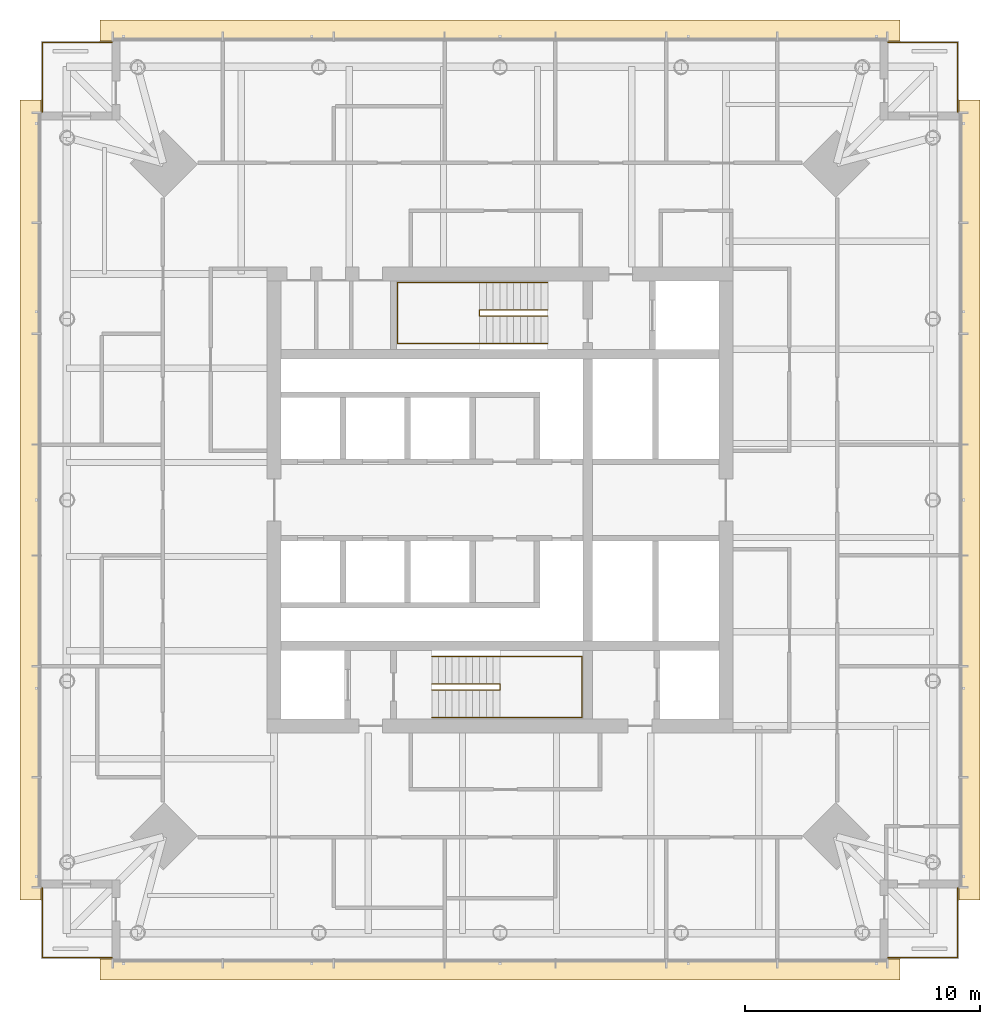
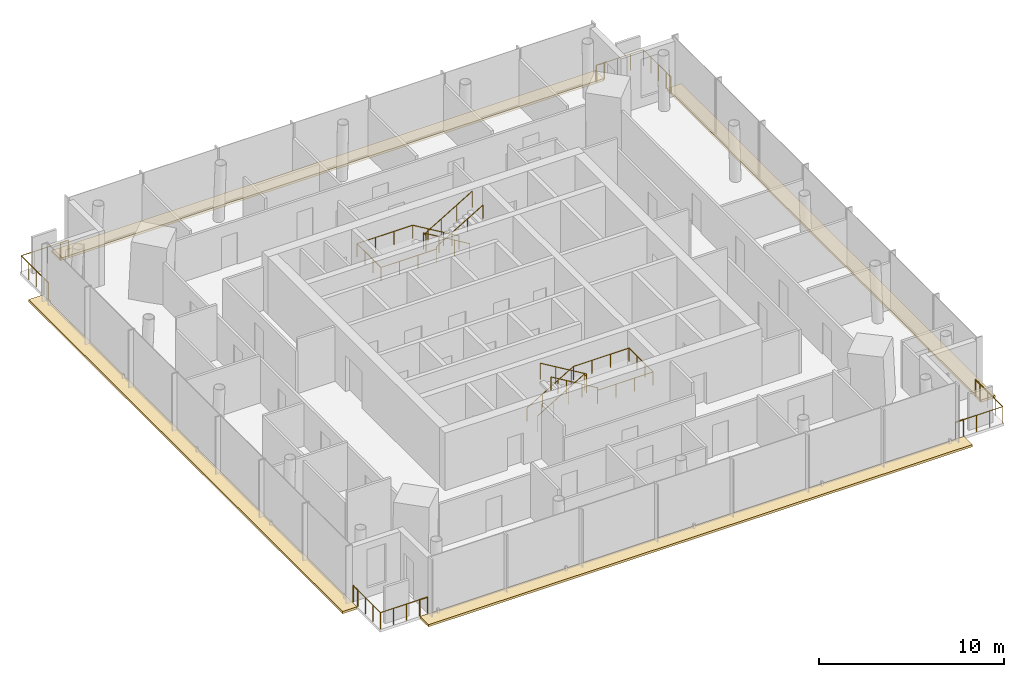
# One storey, part 11 of 11: 16 railings, 4 coverings.
"""IFC4 building model written with IfcOpenShell, lengths in metres."""

from ifc_helpers import new_model, si_unit, direction, frame, origin, origin_2d, place, context, subcontext, project, spatial, polyline, circle, outline, extrude, material, layer, layer_set, type_object, element, save


model = new_model("IFC4")

# Units and contexts
model_context = context("Model", 3, precision=1e-05, world=origin(), true_north=direction((0.0, 1.0)))
body_context = subcontext(model_context, "Body", "Model", "MODEL_VIEW")
ifc_project = project(units=[si_unit("LENGTHUNIT", "METRE"), si_unit("AREAUNIT", "SQUARE_METRE"), si_unit("VOLUMEUNIT", "CUBIC_METRE"), si_unit("PLANEANGLEUNIT", "RADIAN"), si_unit("MASSUNIT", "GRAM", prefix="KILO")], contexts=[model_context])

# Site, building, storey
site_placement = place(None, origin())
site = spatial("IfcSite", under=ifc_project, at=site_placement, CompositionType="ELEMENT")
building_placement = place(site_placement, origin())
building = spatial("IfcBuilding", under=site, at=building_placement, Name="Ostroluk Exchange", CompositionType="ELEMENT")
storey_placement = place(building_placement, frame((0.0, 0.0, 195.800048828125)))
storey = spatial("IfcBuildingStorey", under=building, at=storey_placement, Name="L50", CompositionType="ELEMENT", Elevation=195.800048828125)

# Railings
ifc_material_1 = material(Name="Stainless steel", Category="steel")
railing_type_1 = type_object("IfcRailingType", Name="Guard 1100 stainless steel", PredefinedType="GUARDRAIL", material=ifc_material_1)
railing_1_placement = place(storey_placement, frame((62.0, 26.550048828125, 0.0)))
element("IfcRailing", 1, at=railing_1_placement, inside=storey, type_object=railing_type_1, Name="Office tower SE balcony guard L50", PredefinedType="GUARDRAIL", context=body_context, shape_type="SweptSolid", body=[
    extrude(circle(Radius=0.02392578125, at=origin_2d()), frame((0.0, 0.0, 1.076171875), z_axis=(1.0, 0.0, 0.0), x_axis=(0.0, 1.0, 0.0)), (0.0, 0.0, 1.0), 2.449951171875),
    extrude(circle(Radius=0.02392578125, at=origin_2d()), frame((2.449951171875, 0.0, 1.076171875), z_axis=(0.0, 1.0, 0.0), x_axis=(-1.0, 0.0, 0.0)), (0.0, 0.0, 1.0), 2.449951171875),
    extrude(circle(Radius=0.02099609375, at=origin_2d()), origin(), (0.0, 0.0, 1.0), 1.052001953125),
    extrude(circle(Radius=0.02099609375, at=origin_2d()), frame((0.816650390625, 0.0, 0.0)), (0.0, 0.0, 1.0), 1.052001953125),
    extrude(circle(Radius=0.02099609375, at=origin_2d()), frame((1.63330078125, 0.0, 0.0)), (0.0, 0.0, 1.0), 1.052001953125),
    extrude(circle(Radius=0.02099609375, at=origin_2d()), frame((2.449951171875, 0.0, 0.0)), (0.0, 0.0, 1.0), 1.052001953125),
    extrude(circle(Radius=0.02099609375, at=origin_2d()), frame((2.449951171875, 0.816650390625, 0.0)), (0.0, 0.0, 1.0), 1.052001953125),
    extrude(circle(Radius=0.02099609375, at=origin_2d()), frame((2.449951171875, 1.63330078125, 0.0)), (0.0, 0.0, 1.0), 1.052001953125),
    extrude(circle(Radius=0.02099609375, at=origin_2d()), frame((2.449951171875, 2.449951171875, 0.0)), (0.0, 0.0, 1.0), 1.052001953125),
])
railing_2_placement = place(storey_placement, frame((62.0, 65.449951171875, 0.0)))
element("IfcRailing", 2, at=railing_2_placement, inside=storey, type_object=railing_type_1, Name="Office tower NE balcony guard L50", PredefinedType="GUARDRAIL", context=body_context, shape_type="SweptSolid", body=[
    extrude(circle(Radius=0.02392578125, at=origin_2d()), frame((0.0, 0.0, 1.076171875), z_axis=(1.0, 0.0, 0.0), x_axis=(0.0, 1.0, 0.0)), (0.0, 0.0, 1.0), 2.449951171875),
    extrude(circle(Radius=0.02392578125, at=origin_2d()), frame((2.449951171875, 0.0, 1.076171875), z_axis=(0.0, -1.0, 0.0), x_axis=(1.0, 0.0, 0.0)), (0.0, 0.0, 1.0), 2.449951171875),
    extrude(circle(Radius=0.02099609375, at=origin_2d()), origin(), (0.0, 0.0, 1.0), 1.052001953125),
    extrude(circle(Radius=0.02099609375, at=origin_2d()), frame((0.816650390625, 0.0, 0.0)), (0.0, 0.0, 1.0), 1.052001953125),
    extrude(circle(Radius=0.02099609375, at=origin_2d()), frame((1.63330078125, 0.0, 0.0)), (0.0, 0.0, 1.0), 1.052001953125),
    extrude(circle(Radius=0.02099609375, at=origin_2d()), frame((2.449951171875, 0.0, 0.0)), (0.0, 0.0, 1.0), 1.052001953125),
    extrude(circle(Radius=0.02099609375, at=origin_2d()), frame((2.449951171875, -0.816650390625, 0.0)), (0.0, 0.0, 1.0), 1.052001953125),
    extrude(circle(Radius=0.02099609375, at=origin_2d()), frame((2.449951171875, -1.63330078125, 0.0)), (0.0, 0.0, 1.0), 1.052001953125),
    extrude(circle(Radius=0.02099609375, at=origin_2d()), frame((2.449951171875, -2.449951171875, 0.0)), (0.0, 0.0, 1.0), 1.052001953125),
])
railing_3_placement = place(storey_placement, frame((28.0, 65.449951171875, 0.0)))
element("IfcRailing", 3, at=railing_3_placement, inside=storey, type_object=railing_type_1, Name="Office tower NW balcony guard L50", PredefinedType="GUARDRAIL", context=body_context, shape_type="SweptSolid", body=[
    extrude(circle(Radius=0.02392578125, at=origin_2d()), frame((0.0, 0.0, 1.076171875), z_axis=(-1.0, 0.0, 0.0), x_axis=(0.0, -1.0, 0.0)), (0.0, 0.0, 1.0), 2.449951171875),
    extrude(circle(Radius=0.02392578125, at=origin_2d()), frame((-2.449951171875, 0.0, 1.076171875), z_axis=(0.0, -1.0, 0.0), x_axis=(1.0, 0.0, 0.0)), (0.0, 0.0, 1.0), 2.449951171875),
    extrude(circle(Radius=0.02099609375, at=origin_2d()), origin(), (0.0, 0.0, 1.0), 1.052001953125),
    extrude(circle(Radius=0.02099609375, at=origin_2d()), frame((-0.816650390625, 0.0, 0.0)), (0.0, 0.0, 1.0), 1.052001953125),
    extrude(circle(Radius=0.02099609375, at=origin_2d()), frame((-1.63330078125, 0.0, 0.0)), (0.0, 0.0, 1.0), 1.052001953125),
    extrude(circle(Radius=0.02099609375, at=origin_2d()), frame((-2.449951171875, 0.0, 0.0)), (0.0, 0.0, 1.0), 1.052001953125),
    extrude(circle(Radius=0.02099609375, at=origin_2d()), frame((-2.449951171875, -0.816650390625, 0.0)), (0.0, 0.0, 1.0), 1.052001953125),
    extrude(circle(Radius=0.02099609375, at=origin_2d()), frame((-2.449951171875, -1.63330078125, 0.0)), (0.0, 0.0, 1.0), 1.052001953125),
    extrude(circle(Radius=0.02099609375, at=origin_2d()), frame((-2.449951171875, -2.449951171875, 0.0)), (0.0, 0.0, 1.0), 1.052001953125),
])
railing_4_placement = place(storey_placement, frame((28.0, 26.550048828125, 0.0)))
element("IfcRailing", 4, at=railing_4_placement, inside=storey, type_object=railing_type_1, Name="Office tower SW balcony guard L50", PredefinedType="GUARDRAIL", context=body_context, shape_type="SweptSolid", body=[
    extrude(circle(Radius=0.02392578125, at=origin_2d()), frame((0.0, 0.0, 1.076171875), z_axis=(-1.0, 0.0, 0.0), x_axis=(0.0, -1.0, 0.0)), (0.0, 0.0, 1.0), 2.449951171875),
    extrude(circle(Radius=0.02392578125, at=origin_2d()), frame((-2.449951171875, 0.0, 1.076171875), z_axis=(0.0, 1.0, 0.0), x_axis=(-1.0, 0.0, 0.0)), (0.0, 0.0, 1.0), 2.449951171875),
    extrude(circle(Radius=0.02099609375, at=origin_2d()), origin(), (0.0, 0.0, 1.0), 1.052001953125),
    extrude(circle(Radius=0.02099609375, at=origin_2d()), frame((-0.816650390625, 0.0, 0.0)), (0.0, 0.0, 1.0), 1.052001953125),
    extrude(circle(Radius=0.02099609375, at=origin_2d()), frame((-1.63330078125, 0.0, 0.0)), (0.0, 0.0, 1.0), 1.052001953125),
    extrude(circle(Radius=0.02099609375, at=origin_2d()), frame((-2.449951171875, 0.0, 0.0)), (0.0, 0.0, 1.0), 1.052001953125),
    extrude(circle(Radius=0.02099609375, at=origin_2d()), frame((-2.449951171875, 0.816650390625, 0.0)), (0.0, 0.0, 1.0), 1.052001953125),
    extrude(circle(Radius=0.02099609375, at=origin_2d()), frame((-2.449951171875, 1.63330078125, 0.0)), (0.0, 0.0, 1.0), 1.052001953125),
    extrude(circle(Radius=0.02099609375, at=origin_2d()), frame((-2.449951171875, 2.449951171875, 0.0)), (0.0, 0.0, 1.0), 1.052001953125),
])
ifc_material_2 = material(Name="Stainless steel", Category="steel")
railing_type_2 = type_object("IfcRailingType", Name="Lockable maintenance gate 1100", PredefinedType="GUARDRAIL", material=ifc_material_2)
railing_5_placement = place(storey_placement, frame((61.5, 26.550048828125, 0.0)))
element("IfcRailing", 5, at=railing_5_placement, inside=storey, type_object=railing_type_2, Name="Lockable maintenance gate T1 L50 SE", PredefinedType="GUARDRAIL", context=body_context, shape_type="SweptSolid", body=[
    extrude(circle(Radius=0.02392578125, at=origin_2d()), frame((0.0, 0.0, 1.076171875), z_axis=(1.0, 0.0, 0.0), x_axis=(0.0, 1.0, 0.0)), (0.0, 0.0, 1.0), 0.5),
    extrude(circle(Radius=0.02099609375, at=origin_2d()), origin(), (0.0, 0.0, 1.0), 1.052001953125),
    extrude(circle(Radius=0.02099609375, at=origin_2d()), frame((0.5, 0.0, 0.0)), (0.0, 0.0, 1.0), 1.052001953125),
])
railing_6_placement = place(storey_placement, frame((64.449951171875, 29.0, 0.0)))
element("IfcRailing", 6, at=railing_6_placement, inside=storey, type_object=railing_type_2, Name="Lockable maintenance gate T1 L50 SE", PredefinedType="GUARDRAIL", context=body_context, shape_type="SweptSolid", body=[
    extrude(circle(Radius=0.02392578125, at=origin_2d()), frame((0.0, 0.0, 1.076171875), z_axis=(0.0, 1.0, 0.0), x_axis=(-1.0, 0.0, 0.0)), (0.0, 0.0, 1.0), 0.5),
    extrude(circle(Radius=0.02099609375, at=origin_2d()), origin(), (0.0, 0.0, 1.0), 1.052001953125),
    extrude(circle(Radius=0.02099609375, at=origin_2d()), frame((0.0, 0.5, 0.0)), (0.0, 0.0, 1.0), 1.052001953125),
])
railing_7_placement = place(storey_placement, frame((61.5, 65.449951171875, 0.0)))
element("IfcRailing", 7, at=railing_7_placement, inside=storey, type_object=railing_type_2, Name="Lockable maintenance gate T1 L50 NE", PredefinedType="GUARDRAIL", context=body_context, shape_type="SweptSolid", body=[
    extrude(circle(Radius=0.02392578125, at=origin_2d()), frame((0.0, 0.0, 1.076171875), z_axis=(1.0, 0.0, 0.0), x_axis=(0.0, 1.0, 0.0)), (0.0, 0.0, 1.0), 0.5),
    extrude(circle(Radius=0.02099609375, at=origin_2d()), origin(), (0.0, 0.0, 1.0), 1.052001953125),
    extrude(circle(Radius=0.02099609375, at=origin_2d()), frame((0.5, 0.0, 0.0)), (0.0, 0.0, 1.0), 1.052001953125),
])
railing_8_placement = place(storey_placement, frame((64.449951171875, 63.0, 0.0)))
element("IfcRailing", 8, at=railing_8_placement, inside=storey, type_object=railing_type_2, Name="Lockable maintenance gate T1 L50 NE", PredefinedType="GUARDRAIL", context=body_context, shape_type="SweptSolid", body=[
    extrude(circle(Radius=0.02392578125, at=origin_2d()), frame((0.0, 0.0, 1.076171875), z_axis=(0.0, -1.0, 0.0), x_axis=(1.0, 0.0, 0.0)), (0.0, 0.0, 1.0), 0.5),
    extrude(circle(Radius=0.02099609375, at=origin_2d()), origin(), (0.0, 0.0, 1.0), 1.052001953125),
    extrude(circle(Radius=0.02099609375, at=origin_2d()), frame((0.0, -0.5, 0.0)), (0.0, 0.0, 1.0), 1.052001953125),
])
railing_9_placement = place(storey_placement, frame((28.5, 65.449951171875, 0.0)))
element("IfcRailing", 9, at=railing_9_placement, inside=storey, type_object=railing_type_2, Name="Lockable maintenance gate T1 L50 NW", PredefinedType="GUARDRAIL", context=body_context, shape_type="SweptSolid", body=[
    extrude(circle(Radius=0.02392578125, at=origin_2d()), frame((0.0, 0.0, 1.076171875), z_axis=(-1.0, 0.0, 0.0), x_axis=(0.0, -1.0, 0.0)), (0.0, 0.0, 1.0), 0.5),
    extrude(circle(Radius=0.02099609375, at=origin_2d()), origin(), (0.0, 0.0, 1.0), 1.052001953125),
    extrude(circle(Radius=0.02099609375, at=origin_2d()), frame((-0.5, 0.0, 0.0)), (0.0, 0.0, 1.0), 1.052001953125),
])
railing_10_placement = place(storey_placement, frame((25.550048828125, 63.0, 0.0)))
element("IfcRailing", 10, at=railing_10_placement, inside=storey, type_object=railing_type_2, Name="Lockable maintenance gate T1 L50 NW", PredefinedType="GUARDRAIL", context=body_context, shape_type="SweptSolid", body=[
    extrude(circle(Radius=0.02392578125, at=origin_2d()), frame((0.0, 0.0, 1.076171875), z_axis=(0.0, -1.0, 0.0), x_axis=(1.0, 0.0, 0.0)), (0.0, 0.0, 1.0), 0.5),
    extrude(circle(Radius=0.02099609375, at=origin_2d()), origin(), (0.0, 0.0, 1.0), 1.052001953125),
    extrude(circle(Radius=0.02099609375, at=origin_2d()), frame((0.0, -0.5, 0.0)), (0.0, 0.0, 1.0), 1.052001953125),
])
railing_11_placement = place(storey_placement, frame((28.5, 26.550048828125, 0.0)))
element("IfcRailing", 11, at=railing_11_placement, inside=storey, type_object=railing_type_2, Name="Lockable maintenance gate T1 L50 SW", PredefinedType="GUARDRAIL", context=body_context, shape_type="SweptSolid", body=[
    extrude(circle(Radius=0.02392578125, at=origin_2d()), frame((0.0, 0.0, 1.076171875), z_axis=(-1.0, 0.0, 0.0), x_axis=(0.0, -1.0, 0.0)), (0.0, 0.0, 1.0), 0.5),
    extrude(circle(Radius=0.02099609375, at=origin_2d()), origin(), (0.0, 0.0, 1.0), 1.052001953125),
    extrude(circle(Radius=0.02099609375, at=origin_2d()), frame((-0.5, 0.0, 0.0)), (0.0, 0.0, 1.0), 1.052001953125),
])
railing_12_placement = place(storey_placement, frame((25.550048828125, 29.0, 0.0)))
element("IfcRailing", 12, at=railing_12_placement, inside=storey, type_object=railing_type_2, Name="Lockable maintenance gate T1 L50 SW", PredefinedType="GUARDRAIL", context=body_context, shape_type="SweptSolid", body=[
    extrude(circle(Radius=0.02392578125, at=origin_2d()), frame((0.0, 0.0, 1.076171875), z_axis=(0.0, 1.0, 0.0), x_axis=(-1.0, 0.0, 0.0)), (0.0, 0.0, 1.0), 0.5),
    extrude(circle(Radius=0.02099609375, at=origin_2d()), origin(), (0.0, 0.0, 1.0), 1.052001953125),
    extrude(circle(Radius=0.02099609375, at=origin_2d()), frame((0.0, 0.5, 0.0)), (0.0, 0.0, 1.0), 1.052001953125),
])

# Coverings
ifc_material_3 = material(Name="Insulated steel roof deck with membrane, laid to falls, aluminium coping", Category="steel")
ifc_layer = layer(ifc_material_3, 0.14990234375)
ifc_layer_set = layer_set([ifc_layer], Name="Setback maintenance roof")
covering_type = type_object("IfcCoveringType", Name="Setback maintenance roof", PredefinedType="ROOFING", material=ifc_layer_set)
covering_1_placement = place(storey_placement, frame((0.0, 0.0, -0.150146484375)))
element("IfcCovering", 13, at=covering_1_placement, inside=storey, type_object=covering_type, Name="Maintenance roof, setback L50 south", PredefinedType="ROOFING", context=body_context, shape_type="SweptSolid", body=[
    extrude(outline(polyline([(28.0, 26.5), (62.0, 26.5), (62.0, 25.60009765625), (28.0, 25.60009765625), (28.0, 26.5)])), origin(), (0.0, 0.0, 1.0), 0.150146484375),
])
covering_2_placement = place(storey_placement, frame((0.0, 0.0, -0.150146484375)))
element("IfcCovering", 14, at=covering_2_placement, inside=storey, type_object=covering_type, Name="Maintenance roof, setback L50 east", PredefinedType="ROOFING", context=body_context, shape_type="SweptSolid", body=[
    extrude(outline(polyline([(64.5, 63.0), (65.39990234375, 63.0), (65.39990234375, 29.0), (64.5, 29.0), (64.5, 63.0)])), origin(), (0.0, 0.0, 1.0), 0.150146484375),
])
covering_3_placement = place(storey_placement, frame((0.0, 0.0, -0.150146484375)))
element("IfcCovering", 15, at=covering_3_placement, inside=storey, type_object=covering_type, Name="Maintenance roof, setback L50 north", PredefinedType="ROOFING", context=body_context, shape_type="SweptSolid", body=[
    extrude(outline(polyline([(28.0, 66.39990234375), (62.0, 66.39990234375), (62.0, 65.5), (28.0, 65.5), (28.0, 66.39990234375)])), origin(), (0.0, 0.0, 1.0), 0.150146484375),
])
covering_4_placement = place(storey_placement, frame((0.0, 0.0, -0.150146484375)))
element("IfcCovering", 16, at=covering_4_placement, inside=storey, type_object=covering_type, Name="Maintenance roof, setback L50 west", PredefinedType="ROOFING", context=body_context, shape_type="SweptSolid", body=[
    extrude(outline(polyline([(24.60009765625, 63.0), (25.5, 63.0), (25.5, 29.0), (24.60009765625, 29.0), (24.60009765625, 63.0)])), origin(), (0.0, 0.0, 1.0), 0.150146484375),
])

# Railings
ifc_material_4 = material(Name="Steel S355", Category="steel")
railing_type_3 = type_object("IfcRailingType", Name="Stair guard 1100", PredefinedType="GUARDRAIL", material=ifc_material_4)
railing_13_placement = place(storey_placement, frame((42.10009765625, 38.179931640625, 0.172607421875)))
element("IfcRailing", 17, at=railing_13_placement, inside=storey, type_object=railing_type_3, Name="Stair T1-S1 guard L50", PredefinedType="GUARDRAIL", context=body_context, shape_type="SweptSolid", body=[
    extrude(circle(Radius=0.02392578125, at=origin_2d()), frame((0.0, 0.0, 1.076171875), z_axis=(0.859141464434, 0.0, 0.511738159696), x_axis=(0.0, 1.0, 0.0)), (0.0, 0.0, 1.0), 3.375244140625),
    extrude(circle(Radius=0.02392578125, at=origin_2d()), frame((2.89990234375, 0.0, 2.80322265625), z_axis=(0.0, -1.0, 0.0), x_axis=(1.0, 0.0, 0.0)), (0.0, 0.0, 1.0), 0.260009765625),
    extrude(circle(Radius=0.02392578125, at=origin_2d()), frame((2.89990234375, -0.260009765625, 2.80322265625), z_axis=(0.0, 0.0, 1.0), x_axis=(1.0, 0.0, 0.0)), (0.0, 0.0, 1.0), 0.1728515625),
    extrude(circle(Radius=0.02392578125, at=origin_2d()), frame((2.89990234375, -0.260009765625, 2.97607421875), z_axis=(-0.859141464434, 0.0, 0.511738159696), x_axis=(0.0, -1.0, 0.0)), (0.0, 0.0, 1.0), 3.375244140625),
    extrude(circle(Radius=0.02099609375, at=origin_2d()), origin(), (0.0, 0.0, 1.0), 1.052001953125),
    extrude(circle(Radius=0.02099609375, at=origin_2d()), frame((0.966552734375, 0.0, 0.57568359375)), (0.0, 0.0, 1.0), 1.052001953125),
    extrude(circle(Radius=0.02099609375, at=origin_2d()), frame((1.933349609375, 0.0, 1.151611328125)), (0.0, 0.0, 1.0), 1.052001953125),
    extrude(circle(Radius=0.02099609375, at=origin_2d()), frame((2.89990234375, 0.0, 1.727294921875)), (0.0, 0.0, 1.0), 1.052001953125),
    extrude(circle(Radius=0.02099609375, at=origin_2d()), frame((2.89990234375, -0.260009765625, 1.727294921875)), (0.0, 0.0, 1.0), 1.052001953125),
    extrude(circle(Radius=0.02099609375, at=origin_2d()), frame((2.89990234375, -0.260009765625, 1.900146484375)), (0.0, 0.0, 1.0), 1.052001953125),
    extrude(circle(Radius=0.02099609375, at=origin_2d()), frame((1.933349609375, -0.260009765625, 2.475830078125)), (0.0, 0.0, 1.0), 1.052001953125),
    extrude(circle(Radius=0.02099609375, at=origin_2d()), frame((0.966552734375, -0.260009765625, 3.0517578125)), (0.0, 0.0, 1.0), 1.052001953125),
    extrude(circle(Radius=0.02099609375, at=origin_2d()), frame((0.0, -0.260009765625, 3.62744140625)), (0.0, 0.0, 1.0), 1.052001953125),
])
railing_14_placement = place(storey_placement, frame((47.030029296875, 54.080078125, 0.172607421875)))
element("IfcRailing", 18, at=railing_14_placement, inside=storey, type_object=railing_type_3, Name="Stair T1-S2 guard L50", PredefinedType="GUARDRAIL", context=body_context, shape_type="SweptSolid", body=[
    extrude(circle(Radius=0.02392578125, at=origin_2d()), frame((0.0, 0.0, 1.076171875), z_axis=(-0.859160404282, 0.0, 0.51170636083), x_axis=(0.0, -1.0, 0.0)), (0.0, 0.0, 1.0), 3.37548828125),
    extrude(circle(Radius=0.02392578125, at=origin_2d()), frame((-2.900146484375, 0.0, 2.80322265625), z_axis=(0.0, -1.0, 0.0), x_axis=(1.0, 0.0, 0.0)), (0.0, 0.0, 1.0), 0.260009765625),
    extrude(circle(Radius=0.02392578125, at=origin_2d()), frame((-2.900146484375, -0.260009765625, 2.80322265625), z_axis=(0.0, 0.0, 1.0), x_axis=(1.0, 0.0, 0.0)), (0.0, 0.0, 1.0), 0.1728515625),
    extrude(circle(Radius=0.02392578125, at=origin_2d()), frame((-2.900146484375, -0.260009765625, 2.97607421875), z_axis=(0.859160404282, 0.0, 0.51170636083), x_axis=(0.0, 1.0, 0.0)), (0.0, 0.0, 1.0), 3.37548828125),
    extrude(circle(Radius=0.02099609375, at=origin_2d()), origin(), (0.0, 0.0, 1.0), 1.052001953125),
    extrude(circle(Radius=0.02099609375, at=origin_2d()), frame((-0.966796875, 0.0, 0.57568359375)), (0.0, 0.0, 1.0), 1.052001953125),
    extrude(circle(Radius=0.02099609375, at=origin_2d()), frame((-1.933349609375, 0.0, 1.151611328125)), (0.0, 0.0, 1.0), 1.052001953125),
    extrude(circle(Radius=0.02099609375, at=origin_2d()), frame((-2.900146484375, 0.0, 1.727294921875)), (0.0, 0.0, 1.0), 1.052001953125),
    extrude(circle(Radius=0.02099609375, at=origin_2d()), frame((-2.900146484375, -0.260009765625, 1.727294921875)), (0.0, 0.0, 1.0), 1.052001953125),
    extrude(circle(Radius=0.02099609375, at=origin_2d()), frame((-2.900146484375, -0.260009765625, 1.900146484375)), (0.0, 0.0, 1.0), 1.052001953125),
    extrude(circle(Radius=0.02099609375, at=origin_2d()), frame((-1.933349609375, -0.260009765625, 2.475830078125)), (0.0, 0.0, 1.0), 1.052001953125),
    extrude(circle(Radius=0.02099609375, at=origin_2d()), frame((-0.966796875, -0.260009765625, 3.0517578125)), (0.0, 0.0, 1.0), 1.052001953125),
    extrude(circle(Radius=0.02099609375, at=origin_2d()), frame((0.0, -0.260009765625, 3.62744140625)), (0.0, 0.0, 1.0), 1.052001953125),
])
ifc_material_5 = material(Name="Stainless steel", Category="steel")
railing_type_4 = type_object("IfcRailingType", Name="Stair handrail 900", PredefinedType="HANDRAIL", material=ifc_material_5)
railing_15_placement = place(storey_placement, frame((42.10009765625, 39.35009765625, 0.172607421875)))
element("IfcRailing", 19, at=railing_15_placement, inside=storey, type_object=railing_type_4, Name="Stair T1-S1 handrail L50", PredefinedType="HANDRAIL", context=body_context, shape_type="SweptSolid", body=[
    extrude(circle(Radius=0.02392578125, at=origin_2d()), frame((0.0, 0.0, 0.8759765625), z_axis=(0.859141464434, 0.0, 0.511738159696), x_axis=(0.0, 1.0, 0.0)), (0.0, 0.0, 1.0), 3.375244140625),
    extrude(circle(Radius=0.02392578125, at=origin_2d()), frame((2.89990234375, 0.0, 2.60302734375), z_axis=(1.0, 0.0, 0.0), x_axis=(0.0, 1.0, 0.0)), (0.0, 0.0, 1.0), 3.47998046875),
    extrude(circle(Radius=0.02392578125, at=origin_2d()), frame((6.3798828125, 0.0, 2.60302734375), z_axis=(0.0, -1.0, 0.0), x_axis=(1.0, 0.0, 0.0)), (0.0, 0.0, 1.0), 2.60009765625),
    extrude(circle(Radius=0.02392578125, at=origin_2d()), frame((6.3798828125, -2.60009765625, 2.60302734375), z_axis=(-1.0, 0.0, 0.0), x_axis=(0.0, -1.0, 0.0)), (0.0, 0.0, 1.0), 3.47998046875),
    extrude(circle(Radius=0.02392578125, at=origin_2d()), frame((2.89990234375, -2.60009765625, 2.60302734375), z_axis=(0.0, 0.0, 1.0), x_axis=(1.0, 0.0, 0.0)), (0.0, 0.0, 1.0), 0.1728515625),
    extrude(circle(Radius=0.02392578125, at=origin_2d()), frame((2.89990234375, -2.60009765625, 2.77587890625), z_axis=(-0.859141464434, 0.0, 0.511738159696), x_axis=(0.0, -1.0, 0.0)), (0.0, 0.0, 1.0), 3.375244140625),
    extrude(circle(Radius=0.02099609375, at=origin_2d()), origin(), (0.0, 0.0, 1.0), 0.851806640625),
    extrude(circle(Radius=0.02099609375, at=origin_2d()), frame((0.966552734375, 0.0, 0.57568359375)), (0.0, 0.0, 1.0), 0.851806640625),
    extrude(circle(Radius=0.02099609375, at=origin_2d()), frame((1.933349609375, 0.0, 1.151611328125)), (0.0, 0.0, 1.0), 0.851806640625),
    extrude(circle(Radius=0.02099609375, at=origin_2d()), frame((2.89990234375, 0.0, 1.727294921875)), (0.0, 0.0, 1.0), 0.851806640625),
    extrude(circle(Radius=0.02099609375, at=origin_2d()), frame((4.059814453125, 0.0, 1.727294921875)), (0.0, 0.0, 1.0), 0.851806640625),
    extrude(circle(Radius=0.02099609375, at=origin_2d()), frame((5.219970703125, 0.0, 1.727294921875)), (0.0, 0.0, 1.0), 0.851806640625),
    extrude(circle(Radius=0.02099609375, at=origin_2d()), frame((6.3798828125, 0.0, 1.727294921875)), (0.0, 0.0, 1.0), 0.851806640625),
    extrude(circle(Radius=0.02099609375, at=origin_2d()), frame((6.3798828125, -0.86669921875, 1.727294921875)), (0.0, 0.0, 1.0), 0.851806640625),
    extrude(circle(Radius=0.02099609375, at=origin_2d()), frame((6.3798828125, -1.7333984375, 1.727294921875)), (0.0, 0.0, 1.0), 0.851806640625),
    extrude(circle(Radius=0.02099609375, at=origin_2d()), frame((6.3798828125, -2.60009765625, 1.727294921875)), (0.0, 0.0, 1.0), 0.851806640625),
    extrude(circle(Radius=0.02099609375, at=origin_2d()), frame((5.219970703125, -2.60009765625, 1.727294921875)), (0.0, 0.0, 1.0), 0.851806640625),
    extrude(circle(Radius=0.02099609375, at=origin_2d()), frame((4.059814453125, -2.60009765625, 1.727294921875)), (0.0, 0.0, 1.0), 0.851806640625),
    extrude(circle(Radius=0.02099609375, at=origin_2d()), frame((2.89990234375, -2.60009765625, 1.727294921875)), (0.0, 0.0, 1.0), 0.851806640625),
    extrude(circle(Radius=0.02099609375, at=origin_2d()), frame((2.89990234375, -2.60009765625, 1.900146484375)), (0.0, 0.0, 1.0), 0.851806640625),
    extrude(circle(Radius=0.02099609375, at=origin_2d()), frame((1.933349609375, -2.60009765625, 2.475830078125)), (0.0, 0.0, 1.0), 0.851806640625),
    extrude(circle(Radius=0.02099609375, at=origin_2d()), frame((0.966552734375, -2.60009765625, 3.0517578125)), (0.0, 0.0, 1.0), 0.851806640625),
    extrude(circle(Radius=0.02099609375, at=origin_2d()), frame((0.0, -2.60009765625, 3.62744140625)), (0.0, 0.0, 1.0), 0.851806640625),
])
railing_16_placement = place(storey_placement, frame((47.030029296875, 55.25, 0.172607421875)))
element("IfcRailing", 20, at=railing_16_placement, inside=storey, type_object=railing_type_4, Name="Stair T1-S2 handrail L50", PredefinedType="HANDRAIL", context=body_context, shape_type="SweptSolid", body=[
    extrude(circle(Radius=0.02392578125, at=origin_2d()), frame((0.0, 0.0, 0.8759765625), z_axis=(-0.859160404282, 0.0, 0.51170636083), x_axis=(0.0, -1.0, 0.0)), (0.0, 0.0, 1.0), 3.37548828125),
    extrude(circle(Radius=0.02392578125, at=origin_2d()), frame((-2.900146484375, 0.0, 2.60302734375), z_axis=(-1.0, 0.0, 0.0), x_axis=(0.0, -1.0, 0.0)), (0.0, 0.0, 1.0), 3.47998046875),
    extrude(circle(Radius=0.02392578125, at=origin_2d()), frame((-6.380126953125, 0.0, 2.60302734375), z_axis=(0.0, -1.0, 0.0), x_axis=(1.0, 0.0, 0.0)), (0.0, 0.0, 1.0), 2.60009765625),
    extrude(circle(Radius=0.02392578125, at=origin_2d()), frame((-6.380126953125, -2.60009765625, 2.60302734375), z_axis=(1.0, 0.0, 0.0), x_axis=(0.0, 1.0, 0.0)), (0.0, 0.0, 1.0), 3.47998046875),
    extrude(circle(Radius=0.02392578125, at=origin_2d()), frame((-2.900146484375, -2.60009765625, 2.60302734375), z_axis=(0.0, 0.0, 1.0), x_axis=(1.0, 0.0, 0.0)), (0.0, 0.0, 1.0), 0.1728515625),
    extrude(circle(Radius=0.02392578125, at=origin_2d()), frame((-2.900146484375, -2.60009765625, 2.77587890625), z_axis=(0.859160404282, 0.0, 0.51170636083), x_axis=(0.0, 1.0, 0.0)), (0.0, 0.0, 1.0), 3.37548828125),
    extrude(circle(Radius=0.02099609375, at=origin_2d()), origin(), (0.0, 0.0, 1.0), 0.851806640625),
    extrude(circle(Radius=0.02099609375, at=origin_2d()), frame((-0.966796875, 0.0, 0.57568359375)), (0.0, 0.0, 1.0), 0.851806640625),
    extrude(circle(Radius=0.02099609375, at=origin_2d()), frame((-1.933349609375, 0.0, 1.151611328125)), (0.0, 0.0, 1.0), 0.851806640625),
    extrude(circle(Radius=0.02099609375, at=origin_2d()), frame((-2.900146484375, 0.0, 1.727294921875)), (0.0, 0.0, 1.0), 0.851806640625),
    extrude(circle(Radius=0.02099609375, at=origin_2d()), frame((-4.06005859375, 0.0, 1.727294921875)), (0.0, 0.0, 1.0), 0.851806640625),
    extrude(circle(Radius=0.02099609375, at=origin_2d()), frame((-5.22021484375, 0.0, 1.727294921875)), (0.0, 0.0, 1.0), 0.851806640625),
    extrude(circle(Radius=0.02099609375, at=origin_2d()), frame((-6.380126953125, 0.0, 1.727294921875)), (0.0, 0.0, 1.0), 0.851806640625),
    extrude(circle(Radius=0.02099609375, at=origin_2d()), frame((-6.380126953125, -0.86669921875, 1.727294921875)), (0.0, 0.0, 1.0), 0.851806640625),
    extrude(circle(Radius=0.02099609375, at=origin_2d()), frame((-6.380126953125, -1.7333984375, 1.727294921875)), (0.0, 0.0, 1.0), 0.851806640625),
    extrude(circle(Radius=0.02099609375, at=origin_2d()), frame((-6.380126953125, -2.60009765625, 1.727294921875)), (0.0, 0.0, 1.0), 0.851806640625),
    extrude(circle(Radius=0.02099609375, at=origin_2d()), frame((-5.22021484375, -2.60009765625, 1.727294921875)), (0.0, 0.0, 1.0), 0.851806640625),
    extrude(circle(Radius=0.02099609375, at=origin_2d()), frame((-4.06005859375, -2.60009765625, 1.727294921875)), (0.0, 0.0, 1.0), 0.851806640625),
    extrude(circle(Radius=0.02099609375, at=origin_2d()), frame((-2.900146484375, -2.60009765625, 1.727294921875)), (0.0, 0.0, 1.0), 0.851806640625),
    extrude(circle(Radius=0.02099609375, at=origin_2d()), frame((-2.900146484375, -2.60009765625, 1.900146484375)), (0.0, 0.0, 1.0), 0.851806640625),
    extrude(circle(Radius=0.02099609375, at=origin_2d()), frame((-1.933349609375, -2.60009765625, 2.475830078125)), (0.0, 0.0, 1.0), 0.851806640625),
    extrude(circle(Radius=0.02099609375, at=origin_2d()), frame((-0.966796875, -2.60009765625, 3.0517578125)), (0.0, 0.0, 1.0), 0.851806640625),
    extrude(circle(Radius=0.02099609375, at=origin_2d()), frame((0.0, -2.60009765625, 3.62744140625)), (0.0, 0.0, 1.0), 0.851806640625),
])

save(model, "model.ifc")
